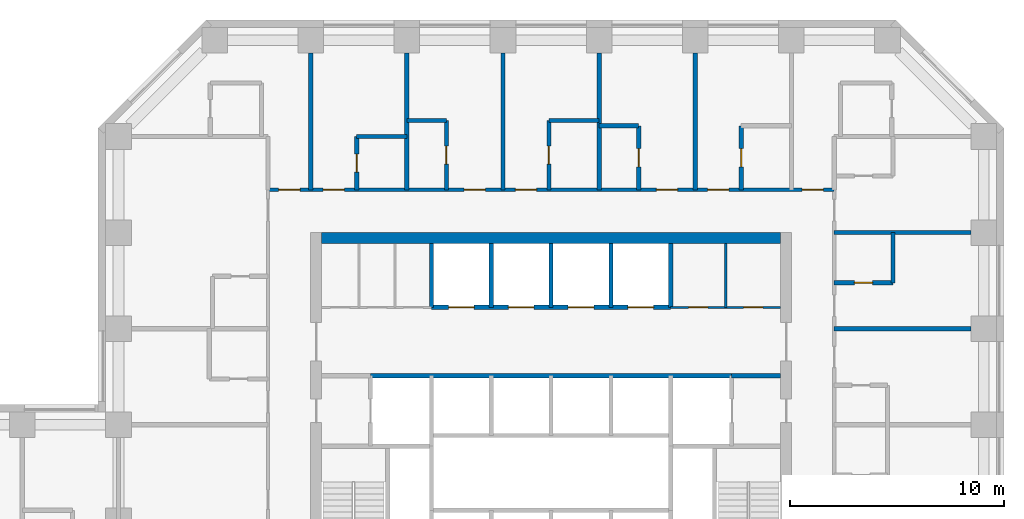
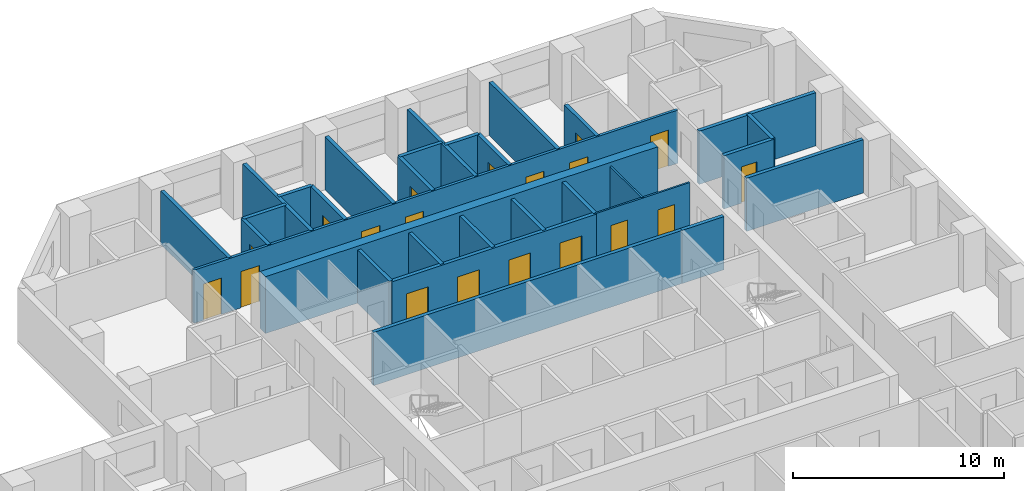
# One storey, part 9 of 12: 30 walls, 19 doors, 19 openings.
"""IFC4 building model written with IfcOpenShell, lengths in metres."""

from ifc_helpers import new_model, si_unit, direction, frame, frame_2d, origin, place, context, subcontext, project, spatial, rectangle, extrude, material, layer, layer_set, type_object, element, fill, save


model = new_model("IFC4")

# Units and contexts
model_context = context("Model", 3, precision=1e-05, world=origin(), true_north=direction((0.0, 1.0)))
body_context = subcontext(model_context, "Body", "Model", "MODEL_VIEW")
ifc_project = project(units=[si_unit("LENGTHUNIT", "METRE"), si_unit("AREAUNIT", "SQUARE_METRE"), si_unit("VOLUMEUNIT", "CUBIC_METRE"), si_unit("PLANEANGLEUNIT", "RADIAN"), si_unit("MASSUNIT", "GRAM", prefix="KILO")], contexts=[model_context])

# Site, building, storey
site_placement = place(None, origin())
site = spatial("IfcSite", under=ifc_project, at=site_placement, CompositionType="ELEMENT")
building_placement = place(site_placement, origin())
building = spatial("IfcBuilding", under=site, at=building_placement, Name="Quoin Convention Tower", CompositionType="ELEMENT")
storey_placement = place(building_placement, frame((0.0, 0.0, 46.199951171875)))
storey = spatial("IfcBuildingStorey", under=building, at=storey_placement, Name="L11", CompositionType="ELEMENT", Elevation=46.199951171875)

# Wall, openings, doors
ifc_material_1 = material(Name="Plasterboard")
ifc_layer_1 = layer(ifc_material_1, 0.012451171875, Name="Finish")
ifc_material_2 = material(Name="Steel stud framing", Category="steel")
ifc_layer_2 = layer(ifc_material_2, 0.074951171875, Name="Structure")
ifc_layer_3 = layer(ifc_material_1, 0.012451171875, Name="Finish")
ifc_layer_set_1 = layer_set([ifc_layer_1, ifc_layer_2, ifc_layer_3], Name="Steel stud framing")
wall_type_1 = type_object("IfcWallType", Name="Core partition wall", PredefinedType="PARTITIONING", material=ifc_layer_set_1)
wall_1_placement = place(storey_placement, frame((61.85009765625, 68.5, 0.0), z_axis=(0.0, 0.0, 1.0), x_axis=(1.0, 0.0, 0.0)))
wall_1 = element("IfcWall", 1, at=wall_1_placement, inside=storey, type_object=wall_type_1, Name="cr-C1-L11-h19000_16850", PredefinedType="PARTITIONING", context=body_context, shape_type="SweptSolid", body=[
    extrude(rectangle(XDim=5.14990234375, YDim=0.10009765625, at=frame_2d((2.574951171875, 0.0))), origin(), (0.0, 0.0, 1.0), 3.080078125),
])
opening_1_placement = place(wall_1_placement, frame((3.41259765625, 0.0, 0.0)))
opening_1 = element("IfcOpeningElement", 2, at=opening_1_placement, cuts=wall_1, Name="Opening DCV4-03", PredefinedType="OPENING", context=body_context, shape_type="SweptSolid", body=[
    extrude(rectangle(XDim=0.89990234375, YDim=2.10009765625, at=frame_2d((0.449951171875, 1.050048828125))), frame((0.0, 0.06005859375, 0.0), z_axis=(0.0, -1.0, 0.0), x_axis=(1.0, 0.0, 0.0)), (0.0, 0.0, 1.0), 0.1201171875),
])
opening_2_placement = place(wall_1_placement, frame((0.83740234375, 0.0, 0.0)))
opening_2 = element("IfcOpeningElement", 3, at=opening_2_placement, cuts=wall_1, Name="Opening DCV4-01", PredefinedType="OPENING", context=body_context, shape_type="SweptSolid", body=[
    extrude(rectangle(XDim=0.89990234375, YDim=2.10009765625, at=frame_2d((0.449951171875, 1.050048828125))), frame((0.0, 0.06005859375, 0.0), z_axis=(0.0, -1.0, 0.0), x_axis=(1.0, 0.0, 0.0)), (0.0, 0.0, 1.0), 0.1201171875),
])
ifc_material_3 = material(Name="Steel door leaf", Category="steel")
door_type_1 = type_object("IfcDoorType", Name="Core room door 900 x 2100", OperationType="SINGLE_SWING_LEFT", PredefinedType="DOOR", material=ifc_material_3)
door_1_placement = place(opening_1_placement, origin())
door_1 = element("IfcDoor", 4, at=door_1_placement, inside=storey, type_object=door_type_1, Name="cd-C1-L11-CNE0-lobB-CD1107", OperationType="SINGLE_SWING_RIGHT", OverallHeight=2.10009765625, OverallWidth=0.89990234375, PredefinedType="DOOR", context=body_context, shape_type="SweptSolid", body=[
    extrude(rectangle(XDim=0.89990234375, YDim=2.10009765625, at=frame_2d((0.449951171875, 1.050048828125))), frame((0.0, 0.02490234375, 0.0), z_axis=(0.0, -1.0, 0.0), x_axis=(1.0, 0.0, 0.0)), (0.0, 0.0, 1.0), 0.050048828125),
])
fill(opening_1, door_1)
door_2_placement = place(opening_2_placement, origin())
door_2 = element("IfcDoor", 5, at=door_2_placement, inside=storey, type_object=door_type_1, Name="cd-C1-L11-CNE1-lobB-CD1108", OperationType="SINGLE_SWING_RIGHT", OverallHeight=2.10009765625, OverallWidth=0.89990234375, PredefinedType="DOOR", context=body_context, shape_type="SweptSolid", body=[
    extrude(rectangle(XDim=0.89990234375, YDim=2.10009765625, at=frame_2d((0.449951171875, 1.050048828125))), frame((0.0, 0.02490234375, 0.0), z_axis=(0.0, -1.0, 0.0), x_axis=(1.0, 0.0, 0.0)), (0.0, 0.0, 1.0), 0.050048828125),
])
fill(opening_2, door_2)

# Walls
wall_2_placement = place(storey_placement, frame((64.425048828125, 68.5, 0.0), z_axis=(0.0, 0.0, 1.0), x_axis=(0.0, 1.0, 0.0)))
element("IfcWall", 6, at=wall_2_placement, inside=storey, type_object=wall_type_1, Name="cr-C1-L11-v19425_19000", PredefinedType="PARTITIONING", context=body_context, shape_type="SweptSolid", body=[
    extrude(rectangle(XDim=3.0, YDim=0.10009765625, at=frame_2d((1.5, 0.0))), origin(), (0.0, 0.0, 1.0), 3.080078125),
])
ifc_material_4 = material(Name="Concrete C50", Category="concrete")
ifc_layer_4 = layer(ifc_material_4, 0.199951171875)
ifc_layer_set_2 = layer_set([ifc_layer_4], Name="Concrete C50")
wall_type_2 = type_object("IfcWallType", Name="Core shaft wall", PredefinedType="SOLIDWALL", material=ifc_layer_set_2)
wall_3_placement = place(storey_placement, frame((64.699951171875, 65.300048828125, 0.0), z_axis=(0.0, 0.0, 1.0), x_axis=(1.0, 0.0, 0.0)))
element("IfcWall", 7, at=wall_3_placement, inside=storey, type_object=wall_type_2, Name="cr-C1-L11-h15800_19700", PredefinedType="SOLIDWALL", context=body_context, shape_type="SweptSolid", body=[
    extrude(rectangle(XDim=2.300048828125, YDim=0.199951171875, at=frame_2d((1.14990234375, 0.0))), origin(), (0.0, 0.0, 1.0), 3.080078125),
])
wall_4_placement = place(storey_placement, frame((47.800048828125, 65.300048828125, 0.0), z_axis=(0.0, 0.0, 1.0), x_axis=(1.0, 0.0, 0.0)))
element("IfcWall", 8, at=wall_4_placement, inside=storey, type_object=wall_type_2, Name="cr-C1-L11-h15800_2800", PredefinedType="SOLIDWALL", context=body_context, shape_type="SweptSolid", body=[
    extrude(rectangle(XDim=16.89990234375, YDim=0.199951171875, at=frame_2d((8.449951171875, 0.0))), origin(), (0.0, 0.0, 1.0), 3.080078125),
])

# Wall, openings, doors
wall_5_placement = place(storey_placement, frame((50.64990234375, 68.5, 0.0), z_axis=(0.0, 0.0, 1.0), x_axis=(1.0, 0.0, 0.0)))
wall_5 = element("IfcWall", 9, at=wall_5_placement, inside=storey, type_object=wall_type_2, Name="cr-C1-L11-h19000_5650", PredefinedType="SOLIDWALL", context=body_context, shape_type="SweptSolid", body=[
    extrude(rectangle(XDim=11.2001953125, YDim=0.199951171875, at=frame_2d((5.60009765625, 0.0))), origin(), (0.0, 0.0, 1.0), 3.080078125),
])
opening_3_placement = place(wall_5_placement, frame((0.800048828125, 0.0, 0.0)))
opening_3 = element("IfcOpeningElement", 10, at=opening_3_placement, cuts=wall_5, Name="Opening LDL5", PredefinedType="OPENING", context=body_context, shape_type="SweptSolid", body=[
    extrude(rectangle(XDim=1.199951171875, YDim=2.10009765625, at=frame_2d((0.60009765625, 1.050048828125))), frame((0.0, 0.10986328125, 0.0), z_axis=(0.0, -1.0, 0.0), x_axis=(1.0, 0.0, 0.0)), (0.0, 0.0, 1.0), 0.219970703125),
])
opening_4_placement = place(wall_5_placement, frame((3.60009765625, 0.0, 0.0)))
opening_4 = element("IfcOpeningElement", 11, at=opening_4_placement, cuts=wall_5, Name="Opening LDL6", PredefinedType="OPENING", context=body_context, shape_type="SweptSolid", body=[
    extrude(rectangle(XDim=1.199951171875, YDim=2.10009765625, at=frame_2d((0.60009765625, 1.050048828125))), frame((0.0, 0.10986328125, 0.0), z_axis=(0.0, -1.0, 0.0), x_axis=(1.0, 0.0, 0.0)), (0.0, 0.0, 1.0), 0.219970703125),
])
opening_5_placement = place(wall_5_placement, frame((6.39990234375, 0.0, 0.0)))
opening_5 = element("IfcOpeningElement", 12, at=opening_5_placement, cuts=wall_5, Name="Opening LDL7", PredefinedType="OPENING", context=body_context, shape_type="SweptSolid", body=[
    extrude(rectangle(XDim=1.199951171875, YDim=2.10009765625, at=frame_2d((0.60009765625, 1.050048828125))), frame((0.0, 0.10986328125, 0.0), z_axis=(0.0, -1.0, 0.0), x_axis=(1.0, 0.0, 0.0)), (0.0, 0.0, 1.0), 0.219970703125),
])
opening_6_placement = place(wall_5_placement, frame((9.199951171875, 0.0, 0.0)))
opening_6 = element("IfcOpeningElement", 13, at=opening_6_placement, cuts=wall_5, Name="Opening LDL8", PredefinedType="OPENING", context=body_context, shape_type="SweptSolid", body=[
    extrude(rectangle(XDim=1.199951171875, YDim=2.10009765625, at=frame_2d((0.60009765625, 1.050048828125))), frame((0.0, 0.10986328125, 0.0), z_axis=(0.0, -1.0, 0.0), x_axis=(1.0, 0.0, 0.0)), (0.0, 0.0, 1.0), 0.219970703125),
])
door_type_2 = type_object("IfcDoorType", Name="Lift landing door 1200 x 2100", OperationType="DOUBLE_DOOR_SLIDING", PredefinedType="DOOR", material=ifc_material_3)
door_3_placement = place(opening_3_placement, origin())
door_3 = element("IfcDoor", 14, at=door_3_placement, inside=storey, type_object=door_type_2, Name="cd-C1-L11-R40-lobB-LDL5", OperationType="DOUBLE_DOOR_SLIDING", OverallHeight=2.10009765625, OverallWidth=1.199951171875, PredefinedType="DOOR", context=body_context, shape_type="SweptSolid", body=[
    extrude(rectangle(XDim=1.199951171875, YDim=2.10009765625, at=frame_2d((0.60009765625, 1.050048828125))), frame((0.0, 0.02490234375, 0.0), z_axis=(0.0, -1.0, 0.0), x_axis=(1.0, 0.0, 0.0)), (0.0, 0.0, 1.0), 0.050048828125),
])
fill(opening_3, door_3)
door_4_placement = place(opening_4_placement, origin())
door_4 = element("IfcDoor", 15, at=door_4_placement, inside=storey, type_object=door_type_2, Name="cd-C1-L11-R41-lobB-LDL6", OperationType="DOUBLE_DOOR_SLIDING", OverallHeight=2.10009765625, OverallWidth=1.199951171875, PredefinedType="DOOR", context=body_context, shape_type="SweptSolid", body=[
    extrude(rectangle(XDim=1.199951171875, YDim=2.10009765625, at=frame_2d((0.60009765625, 1.050048828125))), frame((0.0, 0.02490234375, 0.0), z_axis=(0.0, -1.0, 0.0), x_axis=(1.0, 0.0, 0.0)), (0.0, 0.0, 1.0), 0.050048828125),
])
fill(opening_4, door_4)
door_5_placement = place(opening_5_placement, origin())
door_5 = element("IfcDoor", 16, at=door_5_placement, inside=storey, type_object=door_type_2, Name="cd-C1-L11-R42-lobB-LDL7", OperationType="DOUBLE_DOOR_SLIDING", OverallHeight=2.10009765625, OverallWidth=1.199951171875, PredefinedType="DOOR", context=body_context, shape_type="SweptSolid", body=[
    extrude(rectangle(XDim=1.199951171875, YDim=2.10009765625, at=frame_2d((0.60009765625, 1.050048828125))), frame((0.0, 0.02490234375, 0.0), z_axis=(0.0, -1.0, 0.0), x_axis=(1.0, 0.0, 0.0)), (0.0, 0.0, 1.0), 0.050048828125),
])
fill(opening_5, door_5)
door_6_placement = place(opening_6_placement, origin())
door_6 = element("IfcDoor", 17, at=door_6_placement, inside=storey, type_object=door_type_2, Name="cd-C1-L11-R43-lobB-LDL8", OperationType="DOUBLE_DOOR_SLIDING", OverallHeight=2.10009765625, OverallWidth=1.199951171875, PredefinedType="DOOR", context=body_context, shape_type="SweptSolid", body=[
    extrude(rectangle(XDim=1.199951171875, YDim=2.10009765625, at=frame_2d((0.60009765625, 1.050048828125))), frame((0.0, 0.02490234375, 0.0), z_axis=(0.0, -1.0, 0.0), x_axis=(1.0, 0.0, 0.0)), (0.0, 0.0, 1.0), 0.050048828125),
])
fill(opening_6, door_6)

# Walls
for number, where, z_axis, x_axis, name in (
    (18, (50.64990234375, 68.5, 0.0), (0.0, 0.0, 1.0), (0.0, 1.0, 0.0), "cr-C1-L11-v5650_19000"),
    (19, (53.449951171875, 68.5, 0.0), (0.0, 0.0, 1.0), (0.0, 1.0, 0.0), "cr-C1-L11-v8450_19000"),
    (20, (56.25, 68.5, 0.0), (0.0, 0.0, 1.0), (0.0, 1.0, 0.0), "cr-C1-L11-v11250_19000"),
    (21, (59.050048828125, 68.5, 0.0), (0.0, 0.0, 1.0), (0.0, 1.0, 0.0), "cr-C1-L11-v14050_19000"),
    (22, (61.85009765625, 68.5, 0.0), (0.0, 0.0, 1.0), (0.0, 1.0, 0.0), "cr-C1-L11-v16850_19000"),
):
    element("IfcWall", number, at=place(storey_placement, frame(where, z_axis=z_axis, x_axis=x_axis)), inside=storey, type_object=wall_type_2, Name=name, PredefinedType="SOLIDWALL", context=body_context, shape_type="SweptSolid", body=[
        extrude(rectangle(XDim=3.0, YDim=0.199951171875, at=frame_2d((1.5, 0.0))), origin(), (0.0, 0.0, 1.0), 3.080078125),
    ])
ifc_material_5 = material(Name="Concrete C80", Category="concrete")
ifc_layer_5 = layer(ifc_material_5, 0.5)
ifc_layer_set_3 = layer_set([ifc_layer_5], Name="Concrete C80")
wall_type_3 = type_object("IfcWallType", Name="RC CORE WALL 500 C80", PredefinedType="SHEAR", material=ifc_layer_set_3)
wall_6_placement = place(storey_placement, frame((45.5, 71.75, 0.0), z_axis=(0.0, 0.0, 1.0), x_axis=(1.0, 0.0, 0.0)))
element("IfcWall", 23, at=wall_6_placement, inside=storey, type_object=wall_type_3, Name="cwl-C1-L11-N", PredefinedType="SHEAR", context=body_context, shape_type="SweptSolid", body=[
    extrude(rectangle(XDim=21.5, YDim=0.5, at=frame_2d((10.75, 0.0))), origin(), (0.0, 0.0, 1.0), 3.300048828125),
])
ifc_layer_6 = layer(ifc_material_4, 0.199951171875)
ifc_layer_set_4 = layer_set([ifc_layer_6], Name="Concrete C50")
wall_type_4 = type_object("IfcWallType", Name="RC party wall", PredefinedType="SOLIDWALL", material=ifc_layer_set_4)
wall_7_placement = place(storey_placement, frame((69.5, 67.5, 0.0), z_axis=(0.0, 0.0, 1.0), x_axis=(1.0, 0.0, 0.0)))
element("IfcWall", 24, at=wall_7_placement, inside=storey, type_object=wall_type_4, Name="pw-L11-113", PredefinedType="SOLIDWALL", context=body_context, shape_type="SweptSolid", body=[
    extrude(rectangle(XDim=6.39990234375, YDim=0.199951171875, at=frame_2d((3.199951171875, 0.0))), origin(), (0.0, 0.0, 1.0), 3.080078125),
])

# Wall, opening, door
wall_8_placement = place(storey_placement, frame((69.5, 69.64990234375, 0.0), z_axis=(0.0, 0.0, 1.0), x_axis=(1.0, 0.0, 0.0)))
wall_8 = element("IfcWall", 25, at=wall_8_placement, inside=storey, type_object=wall_type_4, Name="pw-L11-114", PredefinedType="SOLIDWALL", context=body_context, shape_type="SweptSolid", body=[
    extrude(rectangle(XDim=2.75, YDim=0.199951171875, at=frame_2d((1.375, 0.0))), origin(), (0.0, 0.0, 1.0), 3.080078125),
])
opening_7_placement = place(wall_8_placement, frame((0.949951171875, 0.0, 0.0)))
opening_7 = element("IfcOpeningElement", 26, at=opening_7_placement, cuts=wall_8, Name="Opening DHOTEL-H-63", PredefinedType="OPENING", context=body_context, shape_type="SweptSolid", body=[
    extrude(rectangle(XDim=0.85009765625, YDim=2.10009765625, at=frame_2d((0.425048828125, 1.050048828125))), frame((0.0, 0.10986328125, 0.0), z_axis=(0.0, -1.0, 0.0), x_axis=(1.0, 0.0, 0.0)), (0.0, 0.0, 1.0), 0.219970703125),
])
door_type_3 = type_object("IfcDoorType", Name="Bathroom door", OperationType="SINGLE_SWING_LEFT", PredefinedType="DOOR", material=ifc_material_3)
door_7_placement = place(opening_7_placement, frame((0.85009765625, 0.0, 0.0), z_axis=(0.0, 0.0, 1.0), x_axis=(-1.0, 0.0, 0.0)))
door_7 = element("IfcDoor", 27, at=door_7_placement, inside=storey, type_object=door_type_3, Name="dr-L11-046", OperationType="SINGLE_SWING_RIGHT", OverallHeight=2.10009765625, OverallWidth=0.85009765625, PredefinedType="DOOR", context=body_context, shape_type="SweptSolid", body=[
    extrude(rectangle(XDim=0.85009765625, YDim=2.10009765625, at=frame_2d((0.425048828125, 1.050048828125))), frame((0.0, 0.02490234375, 0.0), z_axis=(0.0, -1.0, 0.0), x_axis=(1.0, 0.0, 0.0)), (0.0, 0.0, 1.0), 0.050048828125),
])
fill(opening_7, door_7)

# Walls
wall_9_placement = place(storey_placement, frame((72.25, 69.64990234375, 0.0), z_axis=(0.0, 0.0, 1.0), x_axis=(0.0, 1.0, 0.0)))
element("IfcWall", 28, at=wall_9_placement, inside=storey, type_object=wall_type_4, Name="pw-L11-115", PredefinedType="SOLIDWALL", context=body_context, shape_type="SweptSolid", body=[
    extrude(rectangle(XDim=2.35009765625, YDim=0.199951171875, at=frame_2d((1.175048828125, 0.0))), origin(), (0.0, 0.0, 1.0), 3.080078125),
])
for number, where, z_axis, x_axis, name in (
    (29, (69.5, 72.0, 0.0), (0.0, 0.0, 1.0), (1.0, 0.0, 0.0), "pw-L11-117"),
    (30, (45.0, 74.0, 0.0), (0.0, 0.0, 1.0), (0.0, 1.0, 0.0), "pw-L11-119"),
):
    element("IfcWall", number, at=place(storey_placement, frame(where, z_axis=z_axis, x_axis=x_axis)), inside=storey, type_object=wall_type_4, Name=name, PredefinedType="SOLIDWALL", context=body_context, shape_type="SweptSolid", body=[
        extrude(rectangle(XDim=6.39990234375, YDim=0.199951171875, at=frame_2d((3.199951171875, 0.0))), origin(), (0.0, 0.0, 1.0), 3.080078125),
    ])

# Wall, opening, door
wall_10_placement = place(storey_placement, frame((47.14990234375, 74.0, 0.0), z_axis=(0.0, 0.0, 1.0), x_axis=(0.0, 1.0, 0.0)))
wall_10 = element("IfcWall", 31, at=wall_10_placement, inside=storey, type_object=wall_type_4, Name="pw-L11-120", PredefinedType="SOLIDWALL", context=body_context, shape_type="SweptSolid", body=[
    extrude(rectangle(XDim=2.5, YDim=0.199951171875, at=frame_2d((1.25, 0.0))), origin(), (0.0, 0.0, 1.0), 3.080078125),
])
opening_8_placement = place(wall_10_placement, frame((0.824951171875, 0.0, 0.0)))
opening_8 = element("IfcOpeningElement", 32, at=opening_8_placement, cuts=wall_10, Name="Opening DHOTEL-H-65", PredefinedType="OPENING", context=body_context, shape_type="SweptSolid", body=[
    extrude(rectangle(XDim=0.85009765625, YDim=2.10009765625, at=frame_2d((0.425048828125, 1.050048828125))), frame((0.0, 0.10986328125, 0.0), z_axis=(0.0, -1.0, 0.0), x_axis=(1.0, 0.0, 0.0)), (0.0, 0.0, 1.0), 0.219970703125),
])
door_8_placement = place(opening_8_placement, frame((0.85009765625, 0.0, 0.0), z_axis=(0.0, 0.0, 1.0), x_axis=(-1.0, 0.0, 0.0)))
door_8 = element("IfcDoor", 33, at=door_8_placement, inside=storey, type_object=door_type_3, Name="dr-L11-034", OperationType="SINGLE_SWING_RIGHT", OverallHeight=2.10009765625, OverallWidth=0.85009765625, PredefinedType="DOOR", context=body_context, shape_type="SweptSolid", body=[
    extrude(rectangle(XDim=0.85009765625, YDim=2.10009765625, at=frame_2d((0.425048828125, 1.050048828125))), frame((0.0, 0.02490234375, 0.0), z_axis=(0.0, -1.0, 0.0), x_axis=(1.0, 0.0, 0.0)), (0.0, 0.0, 1.0), 0.050048828125),
])
fill(opening_8, door_8)

# Wall
wall_11_placement = place(storey_placement, frame((49.5, 74.0, 0.0), z_axis=(0.0, 0.0, 1.0), x_axis=(0.0, 1.0, 0.0)))
element("IfcWall", 34, at=wall_11_placement, inside=storey, type_object=wall_type_4, Name="pw-L11-121", PredefinedType="SOLIDWALL", context=body_context, shape_type="SweptSolid", body=[
    extrude(rectangle(XDim=6.39990234375, YDim=0.199951171875, at=frame_2d((3.199951171875, 0.0))), origin(), (0.0, 0.0, 1.0), 3.080078125),
])

# Wall, opening, door
wall_12_placement = place(storey_placement, frame((51.35009765625, 74.0, 0.0), z_axis=(0.0, 0.0, 1.0), x_axis=(0.0, 1.0, 0.0)))
wall_12 = element("IfcWall", 35, at=wall_12_placement, inside=storey, type_object=wall_type_4, Name="pw-L11-122", PredefinedType="SOLIDWALL", context=body_context, shape_type="SweptSolid", body=[
    extrude(rectangle(XDim=3.25, YDim=0.199951171875, at=frame_2d((1.625, 0.0))), origin(), (0.0, 0.0, 1.0), 3.080078125),
])
opening_9_placement = place(wall_12_placement, frame((1.199951171875, 0.0, 0.0)))
opening_9 = element("IfcOpeningElement", 36, at=opening_9_placement, cuts=wall_12, Name="Opening DHOTEL-H-66", PredefinedType="OPENING", context=body_context, shape_type="SweptSolid", body=[
    extrude(rectangle(XDim=0.85009765625, YDim=2.10009765625, at=frame_2d((0.425048828125, 1.050048828125))), frame((0.0, 0.10986328125, 0.0), z_axis=(0.0, -1.0, 0.0), x_axis=(1.0, 0.0, 0.0)), (0.0, 0.0, 1.0), 0.219970703125),
])
door_9_placement = place(opening_9_placement, frame((0.85009765625, 0.0, 0.0), z_axis=(0.0, 0.0, 1.0), x_axis=(-1.0, 0.0, 0.0)))
door_9 = element("IfcDoor", 37, at=door_9_placement, inside=storey, type_object=door_type_3, Name="dr-L11-036", OperationType="SINGLE_SWING_RIGHT", OverallHeight=2.10009765625, OverallWidth=0.85009765625, PredefinedType="DOOR", context=body_context, shape_type="SweptSolid", body=[
    extrude(rectangle(XDim=0.85009765625, YDim=2.10009765625, at=frame_2d((0.425048828125, 1.050048828125))), frame((0.0, 0.02490234375, 0.0), z_axis=(0.0, -1.0, 0.0), x_axis=(1.0, 0.0, 0.0)), (0.0, 0.0, 1.0), 0.050048828125),
])
fill(opening_9, door_9)

# Wall
wall_13_placement = place(storey_placement, frame((54.0, 74.0, 0.0), z_axis=(0.0, 0.0, 1.0), x_axis=(0.0, 1.0, 0.0)))
element("IfcWall", 38, at=wall_13_placement, inside=storey, type_object=wall_type_4, Name="pw-L11-123", PredefinedType="SOLIDWALL", context=body_context, shape_type="SweptSolid", body=[
    extrude(rectangle(XDim=6.39990234375, YDim=0.199951171875, at=frame_2d((3.199951171875, 0.0))), origin(), (0.0, 0.0, 1.0), 3.080078125),
])

# Wall, opening, door
wall_14_placement = place(storey_placement, frame((56.14990234375, 74.0, 0.0), z_axis=(0.0, 0.0, 1.0), x_axis=(0.0, 1.0, 0.0)))
wall_14 = element("IfcWall", 39, at=wall_14_placement, inside=storey, type_object=wall_type_4, Name="pw-L11-124", PredefinedType="SOLIDWALL", context=body_context, shape_type="SweptSolid", body=[
    extrude(rectangle(XDim=3.25, YDim=0.199951171875, at=frame_2d((1.625, 0.0))), origin(), (0.0, 0.0, 1.0), 3.080078125),
])
opening_10_placement = place(wall_14_placement, frame((1.199951171875, 0.0, 0.0)))
opening_10 = element("IfcOpeningElement", 40, at=opening_10_placement, cuts=wall_14, Name="Opening DHOTEL-H-67", PredefinedType="OPENING", context=body_context, shape_type="SweptSolid", body=[
    extrude(rectangle(XDim=0.85009765625, YDim=2.10009765625, at=frame_2d((0.425048828125, 1.050048828125))), frame((0.0, 0.10986328125, 0.0), z_axis=(0.0, -1.0, 0.0), x_axis=(1.0, 0.0, 0.0)), (0.0, 0.0, 1.0), 0.219970703125),
])
door_10_placement = place(opening_10_placement, origin())
door_10 = element("IfcDoor", 41, at=door_10_placement, inside=storey, type_object=door_type_3, Name="dr-L11-038", OperationType="SINGLE_SWING_LEFT", OverallHeight=2.10009765625, OverallWidth=0.85009765625, PredefinedType="DOOR", context=body_context, shape_type="SweptSolid", body=[
    extrude(rectangle(XDim=0.85009765625, YDim=2.10009765625, at=frame_2d((0.425048828125, 1.050048828125))), frame((0.0, 0.02490234375, 0.0), z_axis=(0.0, -1.0, 0.0), x_axis=(1.0, 0.0, 0.0)), (0.0, 0.0, 1.0), 0.050048828125),
])
fill(opening_10, door_10)

# Wall
wall_15_placement = place(storey_placement, frame((58.5, 74.0, 0.0), z_axis=(0.0, 0.0, 1.0), x_axis=(0.0, 1.0, 0.0)))
element("IfcWall", 42, at=wall_15_placement, inside=storey, type_object=wall_type_4, Name="pw-L11-125", PredefinedType="SOLIDWALL", context=body_context, shape_type="SweptSolid", body=[
    extrude(rectangle(XDim=6.39990234375, YDim=0.199951171875, at=frame_2d((3.199951171875, 0.0))), origin(), (0.0, 0.0, 1.0), 3.080078125),
])

# Wall, opening, door
wall_16_placement = place(storey_placement, frame((60.35009765625, 74.0, 0.0), z_axis=(0.0, 0.0, 1.0), x_axis=(0.0, 1.0, 0.0)))
wall_16 = element("IfcWall", 43, at=wall_16_placement, inside=storey, type_object=wall_type_4, Name="pw-L11-126", PredefinedType="SOLIDWALL", context=body_context, shape_type="SweptSolid", body=[
    extrude(rectangle(XDim=3.0, YDim=0.199951171875, at=frame_2d((1.5, 0.0))), origin(), (0.0, 0.0, 1.0), 3.080078125),
])
opening_11_placement = place(wall_16_placement, frame((1.074951171875, 0.0, 0.0)))
opening_11 = element("IfcOpeningElement", 44, at=opening_11_placement, cuts=wall_16, Name="Opening DHOTEL-H-68", PredefinedType="OPENING", context=body_context, shape_type="SweptSolid", body=[
    extrude(rectangle(XDim=0.85009765625, YDim=2.10009765625, at=frame_2d((0.425048828125, 1.050048828125))), frame((0.0, 0.10986328125, 0.0), z_axis=(0.0, -1.0, 0.0), x_axis=(1.0, 0.0, 0.0)), (0.0, 0.0, 1.0), 0.219970703125),
])
door_11_placement = place(opening_11_placement, frame((0.85009765625, 0.0, 0.0), z_axis=(0.0, 0.0, 1.0), x_axis=(-1.0, 0.0, 0.0)))
door_11 = element("IfcDoor", 45, at=door_11_placement, inside=storey, type_object=door_type_3, Name="dr-L11-040", OperationType="SINGLE_SWING_RIGHT", OverallHeight=2.10009765625, OverallWidth=0.85009765625, PredefinedType="DOOR", context=body_context, shape_type="SweptSolid", body=[
    extrude(rectangle(XDim=0.85009765625, YDim=2.10009765625, at=frame_2d((0.425048828125, 1.050048828125))), frame((0.0, 0.02490234375, 0.0), z_axis=(0.0, -1.0, 0.0), x_axis=(1.0, 0.0, 0.0)), (0.0, 0.0, 1.0), 0.050048828125),
])
fill(opening_11, door_11)

# Wall
wall_17_placement = place(storey_placement, frame((63.0, 74.0, 0.0), z_axis=(0.0, 0.0, 1.0), x_axis=(0.0, 1.0, 0.0)))
element("IfcWall", 46, at=wall_17_placement, inside=storey, type_object=wall_type_4, Name="pw-L11-127", PredefinedType="SOLIDWALL", context=body_context, shape_type="SweptSolid", body=[
    extrude(rectangle(XDim=6.39990234375, YDim=0.199951171875, at=frame_2d((3.199951171875, 0.0))), origin(), (0.0, 0.0, 1.0), 3.080078125),
])

# Wall, opening, door
wall_18_placement = place(storey_placement, frame((65.14990234375, 74.0, 0.0), z_axis=(0.0, 0.0, 1.0), x_axis=(0.0, 1.0, 0.0)))
wall_18 = element("IfcWall", 47, at=wall_18_placement, inside=storey, type_object=wall_type_4, Name="pw-L11-128", PredefinedType="SOLIDWALL", context=body_context, shape_type="SweptSolid", body=[
    extrude(rectangle(XDim=3.0, YDim=0.199951171875, at=frame_2d((1.5, 0.0))), origin(), (0.0, 0.0, 1.0), 3.080078125),
])
opening_12_placement = place(wall_18_placement, frame((1.074951171875, 0.0, 0.0)))
opening_12 = element("IfcOpeningElement", 48, at=opening_12_placement, cuts=wall_18, Name="Opening DHOTEL-H-69", PredefinedType="OPENING", context=body_context, shape_type="SweptSolid", body=[
    extrude(rectangle(XDim=0.85009765625, YDim=2.10009765625, at=frame_2d((0.425048828125, 1.050048828125))), frame((0.0, 0.10986328125, 0.0), z_axis=(0.0, -1.0, 0.0), x_axis=(1.0, 0.0, 0.0)), (0.0, 0.0, 1.0), 0.219970703125),
])
door_12_placement = place(opening_12_placement, origin())
door_12 = element("IfcDoor", 49, at=door_12_placement, inside=storey, type_object=door_type_3, Name="dr-L11-042", OperationType="SINGLE_SWING_LEFT", OverallHeight=2.10009765625, OverallWidth=0.85009765625, PredefinedType="DOOR", context=body_context, shape_type="SweptSolid", body=[
    extrude(rectangle(XDim=0.85009765625, YDim=2.10009765625, at=frame_2d((0.425048828125, 1.050048828125))), frame((0.0, 0.02490234375, 0.0), z_axis=(0.0, -1.0, 0.0), x_axis=(1.0, 0.0, 0.0)), (0.0, 0.0, 1.0), 0.050048828125),
])
fill(opening_12, door_12)

# Walls
wall_19_placement = place(storey_placement, frame((47.14990234375, 76.5, 0.0), z_axis=(0.0, 0.0, 1.0), x_axis=(1.0, 0.0, 0.0)))
element("IfcWall", 50, at=wall_19_placement, inside=storey, type_object=wall_type_4, Name="pw-L11-136", PredefinedType="SOLIDWALL", context=body_context, shape_type="SweptSolid", body=[
    extrude(rectangle(XDim=2.35009765625, YDim=0.199951171875, at=frame_2d((1.175048828125, 0.0))), origin(), (0.0, 0.0, 1.0), 3.080078125),
])
for number, where, z_axis, x_axis, name in (
    (51, (58.5, 77.0, 0.0), (0.0, 0.0, 1.0), (1.0, 0.0, 0.0), "pw-L11-140"),
    (52, (49.5, 77.25, 0.0), (0.0, 0.0, 1.0), (1.0, 0.0, 0.0), "pw-L11-142"),
):
    element("IfcWall", number, at=place(storey_placement, frame(where, z_axis=z_axis, x_axis=x_axis)), inside=storey, type_object=wall_type_4, Name=name, PredefinedType="SOLIDWALL", context=body_context, shape_type="SweptSolid", body=[
        extrude(rectangle(XDim=1.85009765625, YDim=0.199951171875, at=frame_2d((0.925048828125, 0.0))), origin(), (0.0, 0.0, 1.0), 3.080078125),
    ])
wall_20_placement = place(storey_placement, frame((56.14990234375, 77.25, 0.0), z_axis=(0.0, 0.0, 1.0), x_axis=(1.0, 0.0, 0.0)))
element("IfcWall", 53, at=wall_20_placement, inside=storey, type_object=wall_type_4, Name="pw-L11-143", PredefinedType="SOLIDWALL", context=body_context, shape_type="SweptSolid", body=[
    extrude(rectangle(XDim=2.35009765625, YDim=0.199951171875, at=frame_2d((1.175048828125, 0.0))), origin(), (0.0, 0.0, 1.0), 3.080078125),
])

# Wall, openings, doors
ifc_layer_7 = layer(ifc_material_1, 0.012451171875, Name="Finish")
ifc_layer_8 = layer(ifc_material_2, 0.125, Name="Structure")
ifc_layer_9 = layer(ifc_material_1, 0.012451171875, Name="Finish")
ifc_layer_set_5 = layer_set([ifc_layer_7, ifc_layer_8, ifc_layer_9], Name="Steel stud framing")
wall_type_5 = type_object("IfcWallType", Name="corridor partition", PredefinedType="PARTITIONING", material=ifc_layer_set_5)
wall_21_placement = place(storey_placement, frame((43.0, 74.0, 0.0), z_axis=(0.0, 0.0, 1.0), x_axis=(1.0, 0.0, 0.0)))
wall_21 = element("IfcWall", 54, at=wall_21_placement, inside=storey, type_object=wall_type_5, Name="pw-L11-034", PredefinedType="PARTITIONING", context=body_context, shape_type="SweptSolid", body=[
    extrude(rectangle(XDim=26.5, YDim=0.14990234375, at=frame_2d((13.25, 0.0))), origin(), (0.0, 0.0, 1.0), 3.080078125),
])
opening_13_placement = place(wall_21_placement, frame((2.574951171875, 0.0, 0.0)))
opening_13 = element("IfcOpeningElement", 55, at=opening_13_placement, cuts=wall_21, Name="Opening DHOTEL-H-37", PredefinedType="OPENING", context=body_context, shape_type="SweptSolid", body=[
    extrude(rectangle(XDim=1.0, YDim=2.10009765625, at=frame_2d((0.5, 1.050048828125))), frame((0.0, 0.0849609375, 0.0), z_axis=(0.0, -1.0, 0.0), x_axis=(1.0, 0.0, 0.0)), (0.0, 0.0, 1.0), 0.169921875),
])
opening_14_placement = place(wall_21_placement, frame((9.175048828125, 0.0, 0.0)))
opening_14 = element("IfcOpeningElement", 56, at=opening_14_placement, cuts=wall_21, Name="Opening DHOTEL-H-38", PredefinedType="OPENING", context=body_context, shape_type="SweptSolid", body=[
    extrude(rectangle(XDim=1.0, YDim=2.10009765625, at=frame_2d((0.5, 1.050048828125))), frame((0.0, 0.0849609375, 0.0), z_axis=(0.0, -1.0, 0.0), x_axis=(1.0, 0.0, 0.0)), (0.0, 0.0, 1.0), 0.169921875),
])
opening_15_placement = place(wall_21_placement, frame((11.574951171875, 0.0, 0.0)))
opening_15 = element("IfcOpeningElement", 57, at=opening_15_placement, cuts=wall_21, Name="Opening DHOTEL-H-39", PredefinedType="OPENING", context=body_context, shape_type="SweptSolid", body=[
    extrude(rectangle(XDim=1.0, YDim=2.10009765625, at=frame_2d((0.5, 1.050048828125))), frame((0.0, 0.0849609375, 0.0), z_axis=(0.0, -1.0, 0.0), x_axis=(1.0, 0.0, 0.0)), (0.0, 0.0, 1.0), 0.169921875),
])
opening_16_placement = place(wall_21_placement, frame((18.175048828125, 0.0, 0.0)))
opening_16 = element("IfcOpeningElement", 58, at=opening_16_placement, cuts=wall_21, Name="Opening DHOTEL-H-40", PredefinedType="OPENING", context=body_context, shape_type="SweptSolid", body=[
    extrude(rectangle(XDim=1.0, YDim=2.10009765625, at=frame_2d((0.5, 1.050048828125))), frame((0.0, 0.0849609375, 0.0), z_axis=(0.0, -1.0, 0.0), x_axis=(1.0, 0.0, 0.0)), (0.0, 0.0, 1.0), 0.169921875),
])
opening_17_placement = place(wall_21_placement, frame((20.574951171875, 0.0, 0.0)))
opening_17 = element("IfcOpeningElement", 59, at=opening_17_placement, cuts=wall_21, Name="Opening DHOTEL-H-41", PredefinedType="OPENING", context=body_context, shape_type="SweptSolid", body=[
    extrude(rectangle(XDim=1.0, YDim=2.10009765625, at=frame_2d((0.5, 1.050048828125))), frame((0.0, 0.0849609375, 0.0), z_axis=(0.0, -1.0, 0.0), x_axis=(1.0, 0.0, 0.0)), (0.0, 0.0, 1.0), 0.169921875),
])
opening_18_placement = place(wall_21_placement, frame((0.5, 0.0, 0.0)))
opening_18 = element("IfcOpeningElement", 60, at=opening_18_placement, cuts=wall_21, Name="Opening DHOTEL-H-36", PredefinedType="OPENING", context=body_context, shape_type="SweptSolid", body=[
    extrude(rectangle(XDim=1.0, YDim=2.10009765625, at=frame_2d((0.5, 1.050048828125))), frame((0.0, 0.0849609375, 0.0), z_axis=(0.0, -1.0, 0.0), x_axis=(1.0, 0.0, 0.0)), (0.0, 0.0, 1.0), 0.169921875),
])
opening_19_placement = place(wall_21_placement, frame((25.0, 0.0, 0.0)))
opening_19 = element("IfcOpeningElement", 61, at=opening_19_placement, cuts=wall_21, Name="Opening DHOTEL-H-42", PredefinedType="OPENING", context=body_context, shape_type="SweptSolid", body=[
    extrude(rectangle(XDim=1.0, YDim=2.10009765625, at=frame_2d((0.5, 1.050048828125))), frame((0.0, 0.0849609375, 0.0), z_axis=(0.0, -1.0, 0.0), x_axis=(1.0, 0.0, 0.0)), (0.0, 0.0, 1.0), 0.169921875),
])
door_type_4 = type_object("IfcDoorType", Name="Hotel room door", OperationType="SINGLE_SWING_LEFT", PredefinedType="DOOR", material=ifc_material_3)
door_13_placement = place(opening_13_placement, origin())
door_13 = element("IfcDoor", 62, at=door_13_placement, inside=storey, type_object=door_type_4, Name="dr-L11-033", OperationType="SINGLE_SWING_RIGHT", OverallHeight=2.10009765625, OverallWidth=1.0, PredefinedType="DOOR", context=body_context, shape_type="SweptSolid", body=[
    extrude(rectangle(XDim=1.0, YDim=2.10009765625, at=frame_2d((0.5, 1.050048828125))), frame((0.0, 0.02490234375, 0.0), z_axis=(0.0, -1.0, 0.0), x_axis=(1.0, 0.0, 0.0)), (0.0, 0.0, 1.0), 0.050048828125),
])
fill(opening_13, door_13)
door_14_placement = place(opening_14_placement, origin())
door_14 = element("IfcDoor", 63, at=door_14_placement, inside=storey, type_object=door_type_4, Name="dr-L11-035", OperationType="SINGLE_SWING_RIGHT", OverallHeight=2.10009765625, OverallWidth=1.0, PredefinedType="DOOR", context=body_context, shape_type="SweptSolid", body=[
    extrude(rectangle(XDim=1.0, YDim=2.10009765625, at=frame_2d((0.5, 1.050048828125))), frame((0.0, 0.02490234375, 0.0), z_axis=(0.0, -1.0, 0.0), x_axis=(1.0, 0.0, 0.0)), (0.0, 0.0, 1.0), 0.050048828125),
])
fill(opening_14, door_14)
door_15_placement = place(opening_15_placement, origin())
door_15 = element("IfcDoor", 64, at=door_15_placement, inside=storey, type_object=door_type_4, Name="dr-L11-037", OperationType="SINGLE_SWING_RIGHT", OverallHeight=2.10009765625, OverallWidth=1.0, PredefinedType="DOOR", context=body_context, shape_type="SweptSolid", body=[
    extrude(rectangle(XDim=1.0, YDim=2.10009765625, at=frame_2d((0.5, 1.050048828125))), frame((0.0, 0.02490234375, 0.0), z_axis=(0.0, -1.0, 0.0), x_axis=(1.0, 0.0, 0.0)), (0.0, 0.0, 1.0), 0.050048828125),
])
fill(opening_15, door_15)
door_16_placement = place(opening_16_placement, origin())
door_16 = element("IfcDoor", 65, at=door_16_placement, inside=storey, type_object=door_type_4, Name="dr-L11-039", OperationType="SINGLE_SWING_RIGHT", OverallHeight=2.10009765625, OverallWidth=1.0, PredefinedType="DOOR", context=body_context, shape_type="SweptSolid", body=[
    extrude(rectangle(XDim=1.0, YDim=2.10009765625, at=frame_2d((0.5, 1.050048828125))), frame((0.0, 0.02490234375, 0.0), z_axis=(0.0, -1.0, 0.0), x_axis=(1.0, 0.0, 0.0)), (0.0, 0.0, 1.0), 0.050048828125),
])
fill(opening_16, door_16)
door_17_placement = place(opening_17_placement, origin())
door_17 = element("IfcDoor", 66, at=door_17_placement, inside=storey, type_object=door_type_4, Name="dr-L11-041", OperationType="SINGLE_SWING_RIGHT", OverallHeight=2.10009765625, OverallWidth=1.0, PredefinedType="DOOR", context=body_context, shape_type="SweptSolid", body=[
    extrude(rectangle(XDim=1.0, YDim=2.10009765625, at=frame_2d((0.5, 1.050048828125))), frame((0.0, 0.02490234375, 0.0), z_axis=(0.0, -1.0, 0.0), x_axis=(1.0, 0.0, 0.0)), (0.0, 0.0, 1.0), 0.050048828125),
])
fill(opening_17, door_17)
door_18_placement = place(opening_18_placement, origin())
door_18 = element("IfcDoor", 67, at=door_18_placement, inside=storey, type_object=door_type_4, Name="dr-L11-063", OperationType="SINGLE_SWING_RIGHT", OverallHeight=2.10009765625, OverallWidth=1.0, PredefinedType="DOOR", context=body_context, shape_type="SweptSolid", body=[
    extrude(rectangle(XDim=1.0, YDim=2.10009765625, at=frame_2d((0.5, 1.050048828125))), frame((0.0, 0.02490234375, 0.0), z_axis=(0.0, -1.0, 0.0), x_axis=(1.0, 0.0, 0.0)), (0.0, 0.0, 1.0), 0.050048828125),
])
fill(opening_18, door_18)
door_19_placement = place(opening_19_placement, origin())
door_19 = element("IfcDoor", 68, at=door_19_placement, inside=storey, type_object=door_type_4, Name="dr-L11-065", OperationType="SINGLE_SWING_RIGHT", OverallHeight=2.10009765625, OverallWidth=1.0, PredefinedType="DOOR", context=body_context, shape_type="SweptSolid", body=[
    extrude(rectangle(XDim=1.0, YDim=2.10009765625, at=frame_2d((0.5, 1.050048828125))), frame((0.0, 0.02490234375, 0.0), z_axis=(0.0, -1.0, 0.0), x_axis=(1.0, 0.0, 0.0)), (0.0, 0.0, 1.0), 0.050048828125),
])
fill(opening_19, door_19)

save(model, "model.ifc")
